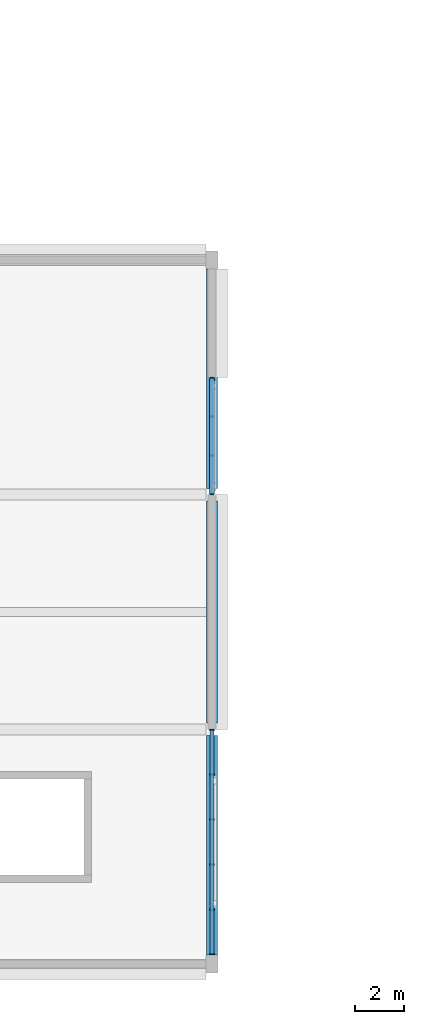
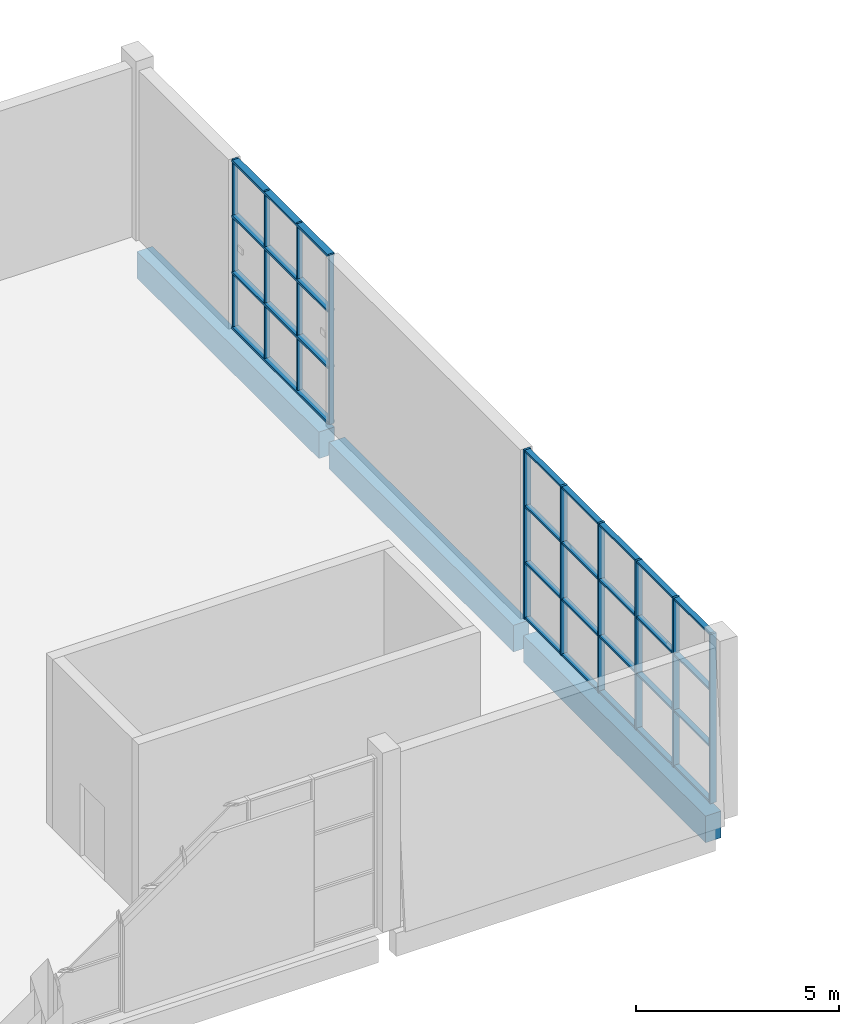
# One storey, part 9 of 72: 18 members, 3 beams, 2 elements without a shape of their own.
"""IFC4 building model written with IfcOpenShell, lengths in metres."""

import ifcopenshell
import ifcopenshell.guid

model = None  # the IFC model being written
_history = None  # IfcOwnerHistory: only IFC2X3 demands one
_inside = {}  # id of a spatial element -> (the spatial element, [elements in it])
_under = {}  # id of a project, library or spatial element -> (it, [spatial elements below it])
_declared = {}  # id of a project -> (the project, [libraries it declares])
_typed = {}  # id of a type object -> (the type object, [elements of that type])
_made_of = {}  # id of a material, layer set ... -> (it, [elements and type objects made of it])


def new_model(schema):
    """Start an empty IFC model of exactly this schema.

    Asked for "IFC4X3", IfcOpenShell would pick the latest addendum, in which some entities
    have other attributes; the version numbers below select the first issue.
    IFC2X3 requires an IfcOwnerHistory on every rooted entity: one is made here for all.
    """
    global model, _history
    if schema == "IFC4X3":
        model = ifcopenshell.file(schema_version=(4, 3, 0, 0))
    else:
        model = ifcopenshell.file(schema=schema)
    _inside.clear()
    _under.clear()
    _declared.clear()
    _typed.clear()
    _made_of.clear()
    _history = None
    if model.schema == "IFC2X3":
        org = make("IfcOrganization", Name="unknown")
        user = make(
            "IfcPersonAndOrganization",
            ThePerson=make("IfcPerson", FamilyName="unknown"),
            TheOrganization=org,
        )
        app = make(
            "IfcApplication",
            ApplicationDeveloper=org,
            Version="unknown",
            ApplicationFullName="unknown",
            ApplicationIdentifier="unknown",
        )
        _history = make(
            "IfcOwnerHistory",
            OwningUser=user,
            OwningApplication=app,
            ChangeAction="ADDED",
            CreationDate=0,
        )
    return model


def make(cls, **values):
    """One entity of the class cls with the attributes given. An attribute that is None is left unset."""
    return model.create_entity(
        cls, **{name: value for name, value in values.items() if value is not None}
    )


def rooted(cls, **values):
    """An entity with a GlobalId (a new one), such as an element, a storey or a relation."""
    return make(cls, GlobalId=ifcopenshell.guid.new(), OwnerHistory=_history, **values)


def si_unit(unit_type, name, prefix=None):
    """IfcSIUnit, for example si_unit("LENGTHUNIT", "METRE", prefix="MILLI")."""
    return make("IfcSIUnit", UnitType=unit_type, Prefix=prefix, Name=name)


def assignment(units):
    """IfcUnitAssignment: the units of a project."""
    return None if units is None else make("IfcUnitAssignment", Units=units)


def point(xyz):
    """IfcCartesianPoint."""
    return None if xyz is None else make("IfcCartesianPoint", Coordinates=xyz)


def direction(xyz):
    """IfcDirection."""
    return None if xyz is None else make("IfcDirection", DirectionRatios=xyz)


def frame(location, z_axis=None, x_axis=None):
    """IfcAxis2Placement3D, a coordinate frame: its origin and axes. An axis left out is left unset."""
    return make(
        "IfcAxis2Placement3D",
        Location=point(location),
        Axis=direction(z_axis),
        RefDirection=direction(x_axis),
    )


def frame_2d(location, x_axis=None):
    """IfcAxis2Placement2D, a coordinate frame in the plane: its origin and x axis."""
    return make(
        "IfcAxis2Placement2D", Location=point(location), RefDirection=direction(x_axis)
    )


def origin():
    """The frame at (0, 0, 0) with its axes left unset."""
    return frame((0.0, 0.0, 0.0))


def origin_2d():
    """The frame at (0, 0) in the plane with its x axis left unset."""
    return frame_2d((0.0, 0.0))


def place(relative_to, where):
    """IfcLocalPlacement: puts the frame where relative to a parent placement (None: the world)."""
    return make(
        "IfcLocalPlacement", PlacementRelTo=relative_to, RelativePlacement=where
    )


def context(
    kind, dimensions, precision=None, world=None, true_north=None, identifier=None
):
    """IfcGeometricRepresentationContext, for example the 3D "Model" context."""
    return make(
        "IfcGeometricRepresentationContext",
        ContextIdentifier=identifier,
        ContextType=kind,
        CoordinateSpaceDimension=dimensions,
        Precision=precision,
        WorldCoordinateSystem=world,
        TrueNorth=true_north,
    )


def subcontext(parent, identifier, kind, view, scale=None):
    """IfcGeometricRepresentationSubContext, for example "Body" below "Model"."""
    return make(
        "IfcGeometricRepresentationSubContext",
        ContextIdentifier=identifier,
        ContextType=kind,
        ParentContext=parent,
        TargetScale=scale,
        TargetView=view,
    )


def project(units=None, contexts=None):
    """IfcProject with its units and contexts."""
    return rooted(
        "IfcProject",
        Name="project",
        RepresentationContexts=contexts,
        UnitsInContext=assignment(units),
    )


def spatial(cls, under=None, at=None, **own):
    """A site, building, storey or space (cls), placed at a placement, below another one or the project."""
    s = rooted(cls, ObjectPlacement=at, **own)
    if under is not None:
        _under.setdefault(under.id(), (under, []))[1].append(s)
    return s


def profile(cls, at=None, kind="AREA", **sizes):
    """A parametric profile (cls). Its sizes go by their IFC names, for example OverallWidth=200.0."""
    return make(cls, ProfileType=kind, Position=at, **sizes)


def rectangle(**sizes):
    """IfcRectangleProfileDef."""
    return profile("IfcRectangleProfileDef", **sizes)


def extrude(swept, where, along, depth):
    """IfcExtrudedAreaSolid: the profile swept, set in the frame where, extruded along a direction by depth."""
    return make(
        "IfcExtrudedAreaSolid",
        SweptArea=swept,
        Position=where,
        ExtrudedDirection=direction(along),
        Depth=depth,
    )


def shape(context_of_items, identifier, shape_type, items):
    """IfcShapeRepresentation: the items that make up one representation, for example the "Body"."""
    return make(
        "IfcShapeRepresentation",
        ContextOfItems=context_of_items,
        RepresentationIdentifier=identifier,
        RepresentationType=shape_type,
        Items=items,
    )


def material(Name=None, Category=None):
    """IfcMaterial."""
    return make("IfcMaterial", Name=Name, Category=Category)


def material_profile(
    of_material, cross_section, Name=None, Category=None, Priority=None
):
    """IfcMaterialProfile: a cross section and its material."""
    return make(
        "IfcMaterialProfile",
        Name=Name,
        Material=of_material,
        Profile=cross_section,
        Priority=Priority,
        Category=Category,
    )


def profile_set(profiles, Name=None, composite=None):
    """IfcMaterialProfileSet."""
    return make(
        "IfcMaterialProfileSet",
        Name=Name,
        MaterialProfiles=profiles,
        CompositeProfile=composite,
    )


def made_of(thing, what):
    """Note that an element or type object is made of a material, layer set ...; save() writes the relation."""
    if what is not None:
        _made_of.setdefault(what.id(), (what, []))[1].append(thing)
    return thing


def type_object(cls, material=None, **own):
    """A type object (cls), such as IfcWallType, which elements share."""
    return made_of(rooted(cls, **own), material)


def element(
    cls,
    number,
    at=None,
    inside=None,
    cuts=None,
    type_object=None,
    material=None,
    context=None,
    identifier="Body",
    shape_type=None,
    held_by="IfcProductDefinitionShape",
    body=None,
    shapes=None,
    **own,
):
    """One element of the class cls, such as IfcWall. Its Tag is "e" and its number.

    at: its placement. inside: the storey or other place that contains it. cuts: it is an
    opening in that element (IfcRelVoidsElement). A single representation is given by context,
    identifier, shape_type and body (its items); several are given by shapes. held_by: the class
    of the entity that holds the representations. save() writes the other relations.
    """
    e = rooted(cls, Tag="e%d" % number, ObjectPlacement=at, **own)
    if body is not None:
        shapes = [shape(context, identifier, shape_type, body)]
    if shapes is not None:
        e.Representation = make(held_by, Representations=shapes)
    if inside is not None:
        _inside.setdefault(inside.id(), (inside, []))[1].append(e)
    if cuts is not None:
        rooted(
            "IfcRelVoidsElement", RelatingBuildingElement=cuts, RelatedOpeningElement=e
        )
    if type_object is not None:
        _typed.setdefault(type_object.id(), (type_object, []))[1].append(e)
    return made_of(e, material)


def aggregate(whole, parts):
    """IfcRelAggregates: a whole, such as a stair, and the parts it consists of."""
    return rooted("IfcRelAggregates", RelatingObject=whole, RelatedObjects=parts)


def save(model, path):
    """Write the relations noted so far, then the file.

    IfcRelAggregates (storeys below a building ...), IfcRelContainedInSpatialStructure (elements
    in a storey), IfcRelDefinesByType, IfcRelAssociatesMaterial and IfcRelDeclares: one each for
    every whole, place, type object, material and project.
    """
    for whole, parts in _under.values():
        aggregate(whole, parts)
    for where, things in _inside.values():
        rooted(
            "IfcRelContainedInSpatialStructure",
            RelatedElements=things,
            RelatingStructure=where,
        )
    for kind, things in _typed.values():
        rooted("IfcRelDefinesByType", RelatedObjects=things, RelatingType=kind)
    for what, things in _made_of.values():
        rooted("IfcRelAssociatesMaterial", RelatedObjects=things, RelatingMaterial=what)
    for by, libraries in _declared.values():
        rooted("IfcRelDeclares", RelatingContext=by, RelatedDefinitions=libraries)
    model.write(path)


model = new_model("IFC4")

# Units and contexts
model_context = context("Model", 3, precision=1e-05, world=origin(), true_north=direction((0.0, 1.0)))
body_context = subcontext(model_context, "Body", "Model", "MODEL_VIEW")
ifc_project = project(units=[si_unit("LENGTHUNIT", "METRE"), si_unit("AREAUNIT", "SQUARE_METRE"), si_unit("VOLUMEUNIT", "CUBIC_METRE"), si_unit("PLANEANGLEUNIT", "RADIAN"), si_unit("MASSUNIT", "GRAM", prefix="KILO")], contexts=[model_context])

# Site, building, storey
site_placement = place(None, origin())
site = spatial("IfcSite", under=ifc_project, at=site_placement, CompositionType="ELEMENT")
building_placement = place(site_placement, origin())
building = spatial("IfcBuilding", under=site, at=building_placement, Name="Shalvenor Court Art Gallery", CompositionType="ELEMENT")
storey_placement = place(building_placement, frame((0.0, 0.0, 11.39990234375)))
storey = spatial("IfcBuildingStorey", under=building, at=storey_placement, Name="L02", CompositionType="ELEMENT", Elevation=11.39990234375)

# Beams
ifc_material_1 = material(Name="Concrete C40/50", Category="concrete")
ifc_material_profile_1 = material_profile(ifc_material_1, rectangle(XDim=0.449951171875, YDim=0.800048828125, at=origin_2d()), Name="RC 450x800")
ifc_profile_set_1 = profile_set([ifc_material_profile_1], Name="Concrete C40/50")
beam_type = type_object("IfcBeamType", Name="B-03", PredefinedType="BEAM", material=ifc_profile_set_1)
beam_1_placement = place(storey_placement, frame((67.199951171875, 0.375, -0.719970703125), z_axis=(0.0, 1.0, 0.0), x_axis=(-1.0, 0.0, 0.0)))
element("IfcBeam", 1, at=beam_1_placement, inside=storey, type_object=beam_type, Name="L02 Girder BM-L02-B-03-0731", PredefinedType="BEAM", context=body_context, shape_type="SweptSolid", body=[
    extrude(rectangle(XDim=0.449951171875, YDim=0.800048828125, at=origin_2d()), origin(), (0.0, 0.0, 1.0), 8.97509765625),
])
beam_2_placement = place(storey_placement, frame((67.199951171875, 9.85009765625, -0.719970703125), z_axis=(0.0, 1.0, 0.0), x_axis=(-1.0, 0.0, 0.0)))
element("IfcBeam", 2, at=beam_2_placement, inside=storey, type_object=beam_type, Name="L02 Girder BM-L02-B-03-0732", PredefinedType="BEAM", context=body_context, shape_type="SweptSolid", body=[
    extrude(rectangle(XDim=0.449951171875, YDim=0.800048828125, at=origin_2d()), origin(), (0.0, 0.0, 1.0), 9.099853515625),
])
beam_3_placement = place(storey_placement, frame((67.199951171875, 19.449951171875, -0.719970703125), z_axis=(0.0, 1.0, 0.0), x_axis=(-1.0, 0.0, 0.0)))
element("IfcBeam", 3, at=beam_3_placement, inside=storey, type_object=beam_type, Name="L02 Girder BM-L02-B-03-0733", PredefinedType="BEAM", context=body_context, shape_type="SweptSolid", body=[
    extrude(rectangle(XDim=0.449951171875, YDim=0.800048828125, at=origin_2d()), origin(), (0.0, 0.0, 1.0), 8.97509765625),
])

# Curtain wall, members
ifc_material_2 = material(Name="Anodised aluminium and low-iron glass curtain wall", Category="aluminium")
curtain_wall_type_1 = type_object("IfcCurtainWallType", Name="CW-5x3-92-51-111", PredefinedType="USERDEFINED", material=ifc_material_2)
curtain_wall_1_placement = place(storey_placement, origin())
curtain_wall_1 = element("IfcCurtainWall", 4, at=curtain_wall_1_placement, inside=storey, type_object=curtain_wall_type_1, Name="L02 V4 Curtain Wall CW-L02-144", ObjectType="CURTAIN WALL", PredefinedType="USERDEFINED")
ifc_material_3 = material(Name="Anodised aluminium mullion", Category="aluminium")
ifc_material_profile_2 = material_profile(ifc_material_3, rectangle(XDim=0.06494140625, YDim=0.179931640625, at=origin_2d()), Name="CWM-01")
ifc_profile_set_2 = profile_set([ifc_material_profile_2], Name="Anodised aluminium mullion")
member_type_1 = type_object("IfcMemberType", Name="CWM-01", PredefinedType="MULLION", material=ifc_profile_set_2)
member_1_placement = place(storey_placement, frame((67.199951171875, 9.5673828125, 0.0), z_axis=(0.0, 0.0, 1.0), x_axis=(0.0, -1.0, 0.0)))
member_1 = element("IfcMember", 5, at=member_1_placement, type_object=member_type_1, Name="CW-5x3-92-51-111 mullion 1", PredefinedType="MULLION", context=body_context, shape_type="SweptSolid", body=[
    extrude(rectangle(XDim=0.06494140625, YDim=0.179931640625, at=origin_2d()), origin(), (0.0, 0.0, 1.0), 5.10009765625),
])
member_2_placement = place(storey_placement, frame((67.199951171875, 7.7548828125, 0.0), z_axis=(0.0, 0.0, 1.0), x_axis=(0.0, -1.0, 0.0)))
member_2 = element("IfcMember", 6, at=member_2_placement, type_object=member_type_1, Name="CW-5x3-92-51-111 mullion 2", PredefinedType="MULLION", context=body_context, shape_type="SweptSolid", body=[
    extrude(rectangle(XDim=0.06494140625, YDim=0.179931640625, at=origin_2d()), origin(), (0.0, 0.0, 1.0), 5.10009765625),
])
member_3_placement = place(storey_placement, frame((67.199951171875, 5.909912109375, 0.0), z_axis=(0.0, 0.0, 1.0), x_axis=(0.0, -1.0, 0.0)))
member_3 = element("IfcMember", 7, at=member_3_placement, type_object=member_type_1, Name="CW-5x3-92-51-111 mullion 3", PredefinedType="MULLION", context=body_context, shape_type="SweptSolid", body=[
    extrude(rectangle(XDim=0.06494140625, YDim=0.179931640625, at=origin_2d()), origin(), (0.0, 0.0, 1.0), 5.10009765625),
])
member_4_placement = place(storey_placement, frame((67.199951171875, 4.06494140625, 0.0), z_axis=(0.0, 0.0, 1.0), x_axis=(0.0, -1.0, 0.0)))
member_4 = element("IfcMember", 8, at=member_4_placement, type_object=member_type_1, Name="CW-5x3-92-51-111 mullion 4", PredefinedType="MULLION", context=body_context, shape_type="SweptSolid", body=[
    extrude(rectangle(XDim=0.06494140625, YDim=0.179931640625, at=origin_2d()), origin(), (0.0, 0.0, 1.0), 5.10009765625),
])
member_5_placement = place(storey_placement, frame((67.199951171875, 2.219970703125, 0.0), z_axis=(0.0, 0.0, 1.0), x_axis=(0.0, -1.0, 0.0)))
member_5 = element("IfcMember", 9, at=member_5_placement, type_object=member_type_1, Name="CW-5x3-92-51-111 mullion 5", PredefinedType="MULLION", context=body_context, shape_type="SweptSolid", body=[
    extrude(rectangle(XDim=0.06494140625, YDim=0.179931640625, at=origin_2d()), origin(), (0.0, 0.0, 1.0), 5.10009765625),
])
member_6_placement = place(storey_placement, frame((67.199951171875, 0.407470703125, 0.0), z_axis=(0.0, 0.0, 1.0), x_axis=(0.0, -1.0, 0.0)))
member_6 = element("IfcMember", 10, at=member_6_placement, type_object=member_type_1, Name="CW-5x3-92-51-111 mullion 6", PredefinedType="MULLION", context=body_context, shape_type="SweptSolid", body=[
    extrude(rectangle(XDim=0.06494140625, YDim=0.179931640625, at=origin_2d()), origin(), (0.0, 0.0, 1.0), 5.10009765625),
])

ifc_material_4 = material(Name="Anodised aluminium and low-iron glass curtain wall", Category="aluminium")
curtain_wall_type_2 = type_object("IfcCurtainWallType", Name="CW-3x3-48-51-641", PredefinedType="USERDEFINED", material=ifc_material_4)
curtain_wall_2_placement = place(storey_placement, origin())
curtain_wall_2 = element("IfcCurtainWall", 11, at=curtain_wall_2_placement, inside=storey, type_object=curtain_wall_type_2, Name="L02 V4 Curtain Wall CW-L02-143", ObjectType="CURTAIN WALL", PredefinedType="USERDEFINED")
ifc_material_5 = material(Name="Anodised aluminium mullion", Category="aluminium")
ifc_material_profile_3 = material_profile(ifc_material_5, rectangle(XDim=0.054931640625, YDim=0.139892578125, at=origin_2d()), Name="CWM-06")
ifc_profile_set_3 = profile_set([ifc_material_profile_3], Name="Anodised aluminium mullion")
member_type_2 = type_object("IfcMemberType", Name="CWM-06", PredefinedType="MULLION", material=ifc_profile_set_3)
member_7_placement = place(storey_placement, frame((67.199951171875, 23.972412109375, 0.0), z_axis=(0.0, 0.0, 1.0), x_axis=(0.0, -1.0, 0.0)))
member_7 = element("IfcMember", 12, at=member_7_placement, type_object=member_type_2, Name="CW-3x3-48-51-641 mullion 1", PredefinedType="MULLION", context=body_context, shape_type="SweptSolid", body=[
    extrude(rectangle(XDim=0.054931640625, YDim=0.139892578125, at=origin_2d()), origin(), (0.0, 0.0, 1.0), 5.10009765625),
])
member_8_placement = place(storey_placement, frame((67.199951171875, 22.39990234375, 0.0), z_axis=(0.0, 0.0, 1.0), x_axis=(0.0, -1.0, 0.0)))
member_8 = element("IfcMember", 13, at=member_8_placement, type_object=member_type_2, Name="CW-3x3-48-51-641 mullion 2", PredefinedType="MULLION", context=body_context, shape_type="SweptSolid", body=[
    extrude(rectangle(XDim=0.054931640625, YDim=0.139892578125, at=origin_2d()), origin(), (0.0, 0.0, 1.0), 5.10009765625),
])
member_9_placement = place(storey_placement, frame((67.199951171875, 20.800048828125, 0.0), z_axis=(0.0, 0.0, 1.0), x_axis=(0.0, -1.0, 0.0)))
member_9 = element("IfcMember", 14, at=member_9_placement, type_object=member_type_2, Name="CW-3x3-48-51-641 mullion 3", PredefinedType="MULLION", context=body_context, shape_type="SweptSolid", body=[
    extrude(rectangle(XDim=0.054931640625, YDim=0.139892578125, at=origin_2d()), origin(), (0.0, 0.0, 1.0), 5.10009765625),
])
member_10_placement = place(storey_placement, frame((67.199951171875, 19.2275390625, 0.0), z_axis=(0.0, 0.0, 1.0), x_axis=(0.0, -1.0, 0.0)))
member_10 = element("IfcMember", 15, at=member_10_placement, type_object=member_type_2, Name="CW-3x3-48-51-641 mullion 4", PredefinedType="MULLION", context=body_context, shape_type="SweptSolid", body=[
    extrude(rectangle(XDim=0.054931640625, YDim=0.139892578125, at=origin_2d()), origin(), (0.0, 0.0, 1.0), 5.10009765625),
])

# Member
ifc_material_6 = material(Name="Anodised aluminium transom", Category="aluminium")
ifc_material_profile_4 = material_profile(ifc_material_6, rectangle(XDim=0.14990234375, YDim=0.06005859375, at=origin_2d()), Name="CWT-01")
ifc_profile_set_4 = profile_set([ifc_material_profile_4], Name="Anodised aluminium transom")
member_type_3 = type_object("IfcMemberType", Name="CWT-01", PredefinedType="USERDEFINED", material=ifc_profile_set_4)
member_11_placement = place(storey_placement, frame((67.199951171875, 9.5673828125, 0.030029296875), z_axis=(0.0, -1.0, 0.0), x_axis=(1.0, 0.0, 0.0)))
member_11 = element("IfcMember", 16, at=member_11_placement, type_object=member_type_3, Name="CW-5x3-92-51-111 transom 1", ObjectType="TRANSOM", PredefinedType="USERDEFINED", context=body_context, shape_type="SweptSolid", body=[
    extrude(rectangle(XDim=0.14990234375, YDim=0.06005859375, at=origin_2d()), origin(), (0.0, 0.0, 1.0), 9.159912109375),
])

member_12_placement = place(storey_placement, frame((67.199951171875, 9.5673828125, 1.7001953125), z_axis=(0.0, -1.0, 0.0), x_axis=(1.0, 0.0, 0.0)))
member_12 = element("IfcMember", 17, at=member_12_placement, type_object=member_type_3, Name="CW-5x3-92-51-111 transom 2", ObjectType="TRANSOM", PredefinedType="USERDEFINED", context=body_context, shape_type="SweptSolid", body=[
    extrude(rectangle(XDim=0.14990234375, YDim=0.06005859375, at=origin_2d()), origin(), (0.0, 0.0, 1.0), 9.159912109375),
])

member_13_placement = place(storey_placement, frame((67.199951171875, 9.5673828125, 3.400146484375), z_axis=(0.0, -1.0, 0.0), x_axis=(1.0, 0.0, 0.0)))
member_13 = element("IfcMember", 18, at=member_13_placement, type_object=member_type_3, Name="CW-5x3-92-51-111 transom 3", ObjectType="TRANSOM", PredefinedType="USERDEFINED", context=body_context, shape_type="SweptSolid", body=[
    extrude(rectangle(XDim=0.14990234375, YDim=0.06005859375, at=origin_2d()), origin(), (0.0, 0.0, 1.0), 9.159912109375),
])

member_14_placement = place(storey_placement, frame((67.199951171875, 9.5673828125, 5.070068359375), z_axis=(0.0, -1.0, 0.0), x_axis=(1.0, 0.0, 0.0)))
member_14 = element("IfcMember", 19, at=member_14_placement, type_object=member_type_3, Name="CW-5x3-92-51-111 transom 4", ObjectType="TRANSOM", PredefinedType="USERDEFINED", context=body_context, shape_type="SweptSolid", body=[
    extrude(rectangle(XDim=0.14990234375, YDim=0.06005859375, at=origin_2d()), origin(), (0.0, 0.0, 1.0), 9.159912109375),
])

aggregate(curtain_wall_1, [member_1, member_2, member_3, member_4, member_5, member_6, member_11, member_12, member_13, member_14])

ifc_material_7 = material(Name="Anodised aluminium transom", Category="aluminium")
ifc_material_profile_5 = material_profile(ifc_material_7, rectangle(XDim=0.18994140625, YDim=0.070068359375, at=origin_2d()), Name="CWT-04")
ifc_profile_set_5 = profile_set([ifc_material_profile_5], Name="Anodised aluminium transom")
member_type_4 = type_object("IfcMemberType", Name="CWT-04", PredefinedType="USERDEFINED", material=ifc_profile_set_5)
member_15_placement = place(storey_placement, frame((67.199951171875, 23.972412109375, 0.03515625), z_axis=(0.0, -1.0, 0.0), x_axis=(1.0, 0.0, 0.0)))
member_15 = element("IfcMember", 20, at=member_15_placement, type_object=member_type_4, Name="CW-3x3-48-51-641 transom 1", ObjectType="TRANSOM", PredefinedType="USERDEFINED", context=body_context, shape_type="SweptSolid", body=[
    extrude(rectangle(XDim=0.18994140625, YDim=0.070068359375, at=origin_2d()), origin(), (0.0, 0.0, 1.0), 4.744873046875),
])

member_16_placement = place(storey_placement, frame((67.199951171875, 23.972412109375, 1.7001953125), z_axis=(0.0, -1.0, 0.0), x_axis=(1.0, 0.0, 0.0)))
member_16 = element("IfcMember", 21, at=member_16_placement, type_object=member_type_4, Name="CW-3x3-48-51-641 transom 2", ObjectType="TRANSOM", PredefinedType="USERDEFINED", context=body_context, shape_type="SweptSolid", body=[
    extrude(rectangle(XDim=0.18994140625, YDim=0.070068359375, at=origin_2d()), origin(), (0.0, 0.0, 1.0), 4.744873046875),
])

member_17_placement = place(storey_placement, frame((67.199951171875, 23.972412109375, 3.400146484375), z_axis=(0.0, -1.0, 0.0), x_axis=(1.0, 0.0, 0.0)))
member_17 = element("IfcMember", 22, at=member_17_placement, type_object=member_type_4, Name="CW-3x3-48-51-641 transom 3", ObjectType="TRANSOM", PredefinedType="USERDEFINED", context=body_context, shape_type="SweptSolid", body=[
    extrude(rectangle(XDim=0.18994140625, YDim=0.070068359375, at=origin_2d()), origin(), (0.0, 0.0, 1.0), 4.744873046875),
])

member_18_placement = place(storey_placement, frame((67.199951171875, 23.972412109375, 5.065185546875), z_axis=(0.0, -1.0, 0.0), x_axis=(1.0, 0.0, 0.0)))
member_18 = element("IfcMember", 23, at=member_18_placement, type_object=member_type_4, Name="CW-3x3-48-51-641 transom 4", ObjectType="TRANSOM", PredefinedType="USERDEFINED", context=body_context, shape_type="SweptSolid", body=[
    extrude(rectangle(XDim=0.18994140625, YDim=0.070068359375, at=origin_2d()), origin(), (0.0, 0.0, 1.0), 4.744873046875),
])

aggregate(curtain_wall_2, [member_7, member_8, member_9, member_10, member_15, member_16, member_17, member_18])

save(model, "model.ifc")
